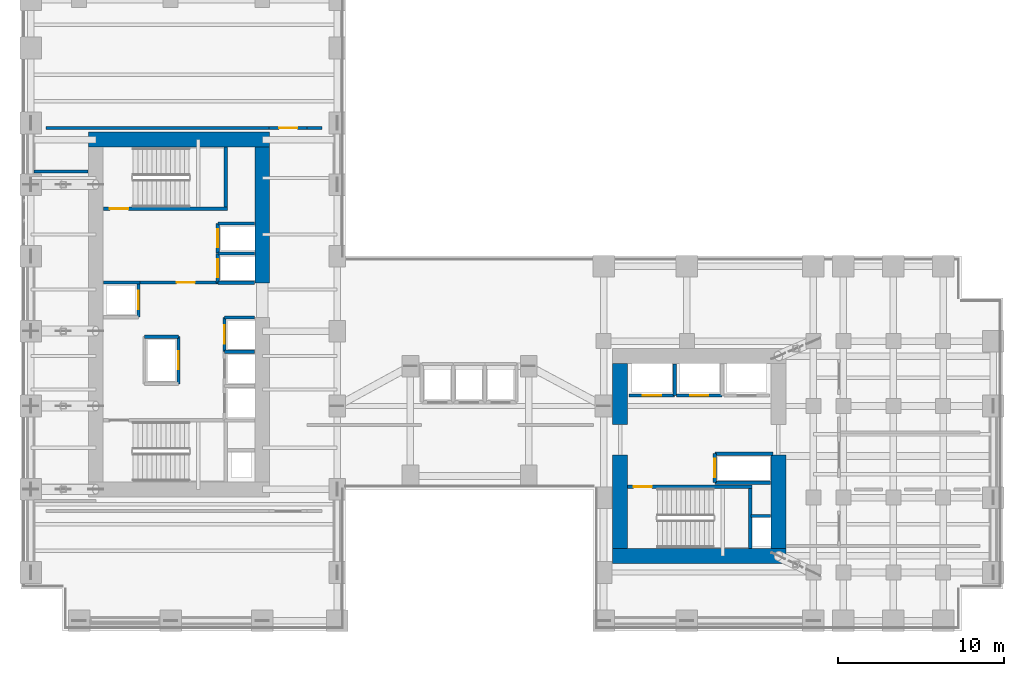
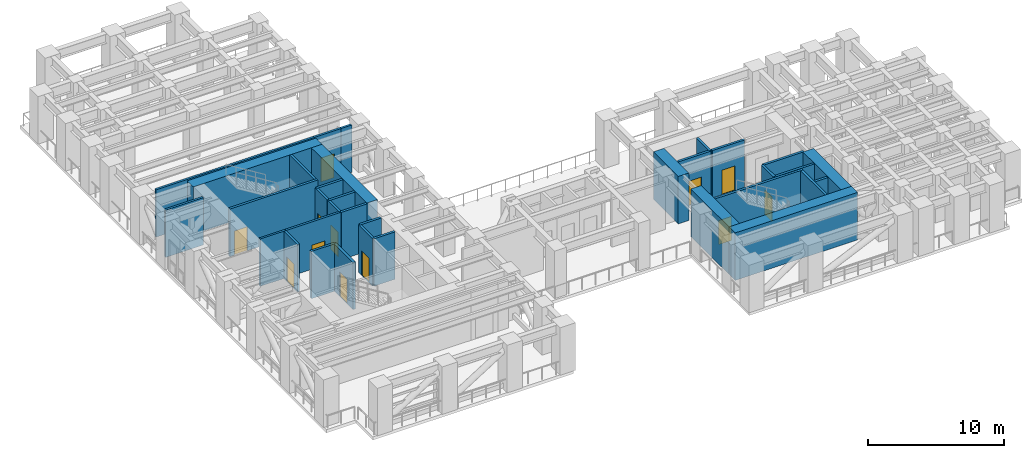
# One storey, part 10 of 16: 34 walls, 12 doors, 12 openings.
"""IFC4 building model written with IfcOpenShell, lengths in metres."""

from ifc_helpers import new_model, si_unit, direction, frame, frame_2d, origin, place, context, subcontext, project, spatial, rectangle, extrude, source, transform, mapped, material, layer, layer_set, type_object, element, fill, save


model = new_model("IFC4")

# Units and contexts
model_context = context("Model", 3, precision=1e-05, world=origin(), true_north=direction((0.0, 1.0)))
body_context = subcontext(model_context, "Body", "Model", "MODEL_VIEW")
ifc_project = project(units=[si_unit("LENGTHUNIT", "METRE"), si_unit("AREAUNIT", "SQUARE_METRE"), si_unit("VOLUMEUNIT", "CUBIC_METRE"), si_unit("PLANEANGLEUNIT", "RADIAN"), si_unit("MASSUNIT", "GRAM", prefix="KILO")], contexts=[model_context])

# Site, building, storey
site_placement = place(None, origin())
site = spatial("IfcSite", under=ifc_project, at=site_placement, CompositionType="ELEMENT")
building_placement = place(site_placement, origin())
building = spatial("IfcBuilding", under=site, at=building_placement, Name="Kharzan Plaza Tower", CompositionType="ELEMENT")
storey_placement = place(building_placement, frame((0.0, 0.0, 72.89990234375)))
storey = spatial("IfcBuildingStorey", under=building, at=storey_placement, Name="L19", CompositionType="ELEMENT", Elevation=72.89990234375)

# Wall, opening, door
ifc_material_1 = material(Name="Concrete C40/50", Category="concrete")
ifc_layer_1 = layer(ifc_material_1, 0.179931640625)
ifc_layer_set_1 = layer_set([ifc_layer_1], Name="Concrete C40/50")
wall_type_1 = type_object("IfcWallType", Name="WL-INT-FIRE-180", PredefinedType="PARTITIONING", material=ifc_layer_set_1)
wall_1_placement = place(storey_placement, frame((7.14990234375, 20.919921875, 0.0), z_axis=(0.0, 0.0, 1.0), x_axis=(1.0, 0.0, 0.0)))
wall_1 = element("IfcWall", 1, at=wall_1_placement, inside=storey, type_object=wall_type_1, Name="L19 Interior Partition CA-FF-S", PredefinedType="PARTITIONING", context=body_context, shape_type="SweptSolid", body=[
    extrude(rectangle(XDim=4.68017578125, YDim=0.179931640625, at=frame_2d((2.340087890625, 0.0))), origin(), (0.0, 0.0, 1.0), 4.2451171875),
])
opening_1_placement = place(wall_1_placement, frame((2.199951171875, 0.0, 0.0)))
opening_1 = element("IfcOpeningElement", 2, at=opening_1_placement, cuts=wall_1, Name="Opening FD1", PredefinedType="OPENING", context=body_context, shape_type="SweptSolid", body=[
    extrude(rectangle(XDim=1.10009765625, YDim=2.14990234375, at=frame_2d((0.550048828125, 1.074951171875))), frame((0.0, 0.099853515625, 0.0), z_axis=(0.0, -1.0, 0.0), x_axis=(1.0, 0.0, 0.0)), (0.0, 0.0, 1.0), 0.199951171875),
])
ifc_material_2 = material(Name="Fire-Rated Acoustic Vision-Panel Steel", Category="steel")
door_type_1 = type_object("IfcDoorType", Name="DR-FIRE-LOBBY", OperationType="NOTDEFINED", PredefinedType="DOOR", material=ifc_material_2)
shared_shape_1 = source(origin(), body_context, "Body", "SweptSolid", [
    extrude(rectangle(XDim=1.10009765625, YDim=2.14990234375, at=frame_2d((0.550048828125, 1.074951171875))), frame((0.0, 0.02490234375, 0.0), z_axis=(0.0, -1.0, 0.0), x_axis=(1.0, 0.0, 0.0)), (0.0, 0.0, 1.0), 0.050048828125),
])
door_1_placement = place(opening_1_placement, origin())
door_1 = element("IfcDoor", 3, at=door_1_placement, inside=storey, type_object=door_type_1, Name="L19 Firefighting Lobby Door", OperationType="SINGLE_SWING_LEFT", OverallHeight=2.14990234375, OverallWidth=1.10009765625, PredefinedType="DOOR", context=body_context, shape_type="MappedRepresentation", body=[
    mapped(shared_shape_1, transform((0.0, 0.0, 0.0), x_axis=(1.0, 0.0, 0.0), y_axis=(0.0, 1.0, 0.0), z_axis=(0.0, 0.0, 1.0))),
])
fill(opening_1, door_1)

wall_2_placement = place(storey_placement, frame((14.919921875, 30.199951171875, 0.0), z_axis=(0.0, 0.0, 1.0), x_axis=(1.0, 0.0, 0.0)))
wall_2 = element("IfcWall", 4, at=wall_2_placement, inside=storey, type_object=wall_type_1, Name="L19 Interior Partition MR-REFD", PredefinedType="PARTITIONING", context=body_context, shape_type="SweptSolid", body=[
    extrude(rectangle(XDim=2.280029296875, YDim=0.179931640625, at=frame_2d((1.14013671875, 0.0))), origin(), (0.0, 0.0, 1.0), 4.2451171875),
])
opening_2_placement = place(wall_2_placement, frame((0.590087890625, 0.0, 0.0)))
opening_2 = element("IfcOpeningElement", 5, at=opening_2_placement, cuts=wall_2, Name="Opening FD1", PredefinedType="OPENING", context=body_context, shape_type="SweptSolid", body=[
    extrude(rectangle(XDim=1.10009765625, YDim=2.14990234375, at=frame_2d((0.550048828125, 1.074951171875))), frame((0.0, 0.099853515625, 0.0), z_axis=(0.0, -1.0, 0.0), x_axis=(1.0, 0.0, 0.0)), (0.0, 0.0, 1.0), 0.199951171875),
])
door_2_placement = place(opening_2_placement, origin())
door_2 = element("IfcDoor", 6, at=door_2_placement, inside=storey, type_object=door_type_1, Name="L19 Area of Refuge Protected Door", OperationType="SINGLE_SWING_LEFT", OverallHeight=2.14990234375, OverallWidth=1.10009765625, PredefinedType="DOOR", context=body_context, shape_type="MappedRepresentation", body=[
    mapped(shared_shape_1, transform((0.0, 0.0, 0.0), x_axis=(1.0, 0.0, 0.0), y_axis=(0.0, 1.0, 0.0), z_axis=(0.0, 0.0, 1.0))),
])
fill(opening_2, door_2)

ifc_layer_2 = layer(ifc_material_1, 0.199951171875)
ifc_layer_set_2 = layer_set([ifc_layer_2], Name="Concrete C40/50")
wall_type_2 = type_object("IfcWallType", Name="WL-INT-SHAFT-200", PredefinedType="PARTITIONING", material=ifc_layer_set_2)
wall_3_placement = place(storey_placement, frame((11.830078125, 20.89990234375, 0.0), z_axis=(0.0, 0.0, 1.0), x_axis=(0.0, 1.0, 0.0)))
wall_3 = element("IfcWall", 7, at=wall_3_placement, inside=storey, type_object=wall_type_2, Name="L19 Interior Partition SHF-FFL-1-W", PredefinedType="PARTITIONING", context=body_context, shape_type="SweptSolid", body=[
    extrude(rectangle(XDim=1.760009765625, YDim=0.199951171875, at=frame_2d((0.8798828125, 0.0))), origin(), (0.0, 0.0, 1.0), 4.2451171875),
])
opening_3_placement = place(wall_3_placement, frame((0.330078125, 0.0, 0.0)))
opening_3 = element("IfcOpeningElement", 8, at=opening_3_placement, cuts=wall_3, Name="Opening LD", PredefinedType="OPENING", context=body_context, shape_type="SweptSolid", body=[
    extrude(rectangle(XDim=1.10009765625, YDim=2.199951171875, at=frame_2d((0.550048828125, 1.10009765625))), frame((0.0, 0.10986328125, 0.0), z_axis=(0.0, -1.0, 0.0), x_axis=(1.0, 0.0, 0.0)), (0.0, 0.0, 1.0), 0.219970703125),
])
ifc_material_3 = material(Name="Brushed Stainless Steel", Category="steel")
door_type_2 = type_object("IfcDoorType", Name="DR-LIFT-SLIDE", OperationType="SLIDING_TO_LEFT", PredefinedType="DOOR", material=ifc_material_3)
shared_shape_2 = source(origin(), body_context, "Body", "SweptSolid", [
    extrude(rectangle(XDim=1.10009765625, YDim=2.199951171875, at=frame_2d((0.550048828125, 1.10009765625))), frame((0.0, 0.02490234375, 0.0), z_axis=(0.0, -1.0, 0.0), x_axis=(1.0, 0.0, 0.0)), (0.0, 0.0, 1.0), 0.050048828125),
])
door_3_placement = place(opening_3_placement, origin())
door_3 = element("IfcDoor", 9, at=door_3_placement, inside=storey, type_object=door_type_2, Name="L19 Firefighting Lift FFL-1 Sliding Landing Door", OperationType="SLIDING_TO_LEFT", OverallHeight=2.199951171875, OverallWidth=1.10009765625, PredefinedType="DOOR", context=body_context, shape_type="MappedRepresentation", body=[
    mapped(shared_shape_2, transform((0.0, 0.0, 0.0), x_axis=(1.0, 0.0, 0.0), y_axis=(0.0, 1.0, 0.0), z_axis=(0.0, 0.0, 1.0))),
])
fill(opening_3, door_3)

wall_4_placement = place(storey_placement, frame((11.830078125, 22.699951171875, 0.0), z_axis=(0.0, 0.0, 1.0), x_axis=(0.0, 1.0, 0.0)))
wall_4 = element("IfcWall", 10, at=wall_4_placement, inside=storey, type_object=wall_type_2, Name="L19 Interior Partition SHF-FFL-2-W", PredefinedType="PARTITIONING", context=body_context, shape_type="SweptSolid", body=[
    extrude(rectangle(XDim=1.760009765625, YDim=0.199951171875, at=frame_2d((0.8798828125, 0.0))), origin(), (0.0, 0.0, 1.0), 4.2451171875),
])
opening_4_placement = place(wall_4_placement, frame((0.330078125, 0.0, 0.0)))
opening_4 = element("IfcOpeningElement", 11, at=opening_4_placement, cuts=wall_4, Name="Opening LD", PredefinedType="OPENING", context=body_context, shape_type="SweptSolid", body=[
    extrude(rectangle(XDim=1.10009765625, YDim=2.199951171875, at=frame_2d((0.550048828125, 1.10009765625))), frame((0.0, 0.10986328125, 0.0), z_axis=(0.0, -1.0, 0.0), x_axis=(1.0, 0.0, 0.0)), (0.0, 0.0, 1.0), 0.219970703125),
])
door_4_placement = place(opening_4_placement, origin())
door_4 = element("IfcDoor", 12, at=door_4_placement, inside=storey, type_object=door_type_2, Name="L19 Firefighting Lift FFL-2 Sliding Landing Door", OperationType="SLIDING_TO_LEFT", OverallHeight=2.199951171875, OverallWidth=1.10009765625, PredefinedType="DOOR", context=body_context, shape_type="MappedRepresentation", body=[
    mapped(shared_shape_2, transform((0.0, 0.0, 0.0), x_axis=(1.0, 0.0, 0.0), y_axis=(0.0, 1.0, 0.0), z_axis=(0.0, 0.0, 1.0))),
])
fill(opening_4, door_4)

wall_5_placement = place(storey_placement, frame((12.22998046875, 16.77001953125, 0.0), z_axis=(0.0, 0.0, 1.0), x_axis=(0.0, 1.0, 0.0)))
wall_5 = element("IfcWall", 13, at=wall_5_placement, inside=storey, type_object=wall_type_2, Name="L19 Interior Partition SHF-PL-H3-W", PredefinedType="PARTITIONING", context=body_context, shape_type="SweptSolid", body=[
    extrude(rectangle(XDim=2.050048828125, YDim=0.199951171875, at=frame_2d((1.02490234375, 0.0))), origin(), (0.0, 0.0, 1.0), 4.2451171875),
])
opening_5_placement = place(wall_5_placement, frame((0.47509765625, 0.0, 0.0)))
opening_5 = element("IfcOpeningElement", 14, at=opening_5_placement, cuts=wall_5, Name="Opening LD", PredefinedType="OPENING", context=body_context, shape_type="SweptSolid", body=[
    extrude(rectangle(XDim=1.10009765625, YDim=2.199951171875, at=frame_2d((0.550048828125, 1.10009765625))), frame((0.0, 0.10986328125, 0.0), z_axis=(0.0, -1.0, 0.0), x_axis=(1.0, 0.0, 0.0)), (0.0, 0.0, 1.0), 0.219970703125),
])
door_5_placement = place(opening_5_placement, origin())
door_5 = element("IfcDoor", 15, at=door_5_placement, inside=storey, type_object=door_type_2, Name="L19 High-Rise Passenger Lift PL-H3 Sliding Landing Door", OperationType="SLIDING_TO_LEFT", OverallHeight=2.199951171875, OverallWidth=1.10009765625, PredefinedType="DOOR", context=body_context, shape_type="MappedRepresentation", body=[
    mapped(shared_shape_2, transform((0.0, 0.0, 0.0), x_axis=(1.0, 0.0, 0.0), y_axis=(0.0, 1.0, 0.0), z_axis=(0.0, 0.0, 1.0))),
])
fill(opening_5, door_5)

wall_6_placement = place(storey_placement, frame((7.070068359375, 18.840087890625, 0.0), z_axis=(0.0, 0.0, 1.0), x_axis=(0.0, 1.0, 0.0)))
wall_6 = element("IfcWall", 16, at=wall_6_placement, inside=storey, type_object=wall_type_2, Name="L19 Interior Partition SHF-PL-H4-E", PredefinedType="PARTITIONING", context=body_context, shape_type="SweptSolid", body=[
    extrude(rectangle(XDim=2.059814453125, YDim=0.199951171875, at=frame_2d((1.02978515625, 0.0))), origin(), (0.0, 0.0, 1.0), 4.2451171875),
])
opening_6_placement = place(wall_6_placement, frame((0.47998046875, 0.0, 0.0)))
opening_6 = element("IfcOpeningElement", 17, at=opening_6_placement, cuts=wall_6, Name="Opening LD", PredefinedType="OPENING", context=body_context, shape_type="SweptSolid", body=[
    extrude(rectangle(XDim=1.10009765625, YDim=2.199951171875, at=frame_2d((0.550048828125, 1.10009765625))), frame((0.0, 0.10986328125, 0.0), z_axis=(0.0, -1.0, 0.0), x_axis=(1.0, 0.0, 0.0)), (0.0, 0.0, 1.0), 0.219970703125),
])
door_6_placement = place(opening_6_placement, origin())
door_6 = element("IfcDoor", 18, at=door_6_placement, inside=storey, type_object=door_type_2, Name="L19 High-Rise Passenger Lift PL-H4 Sliding Landing Door", OperationType="SLIDING_TO_LEFT", OverallHeight=2.199951171875, OverallWidth=1.10009765625, PredefinedType="DOOR", context=body_context, shape_type="MappedRepresentation", body=[
    mapped(shared_shape_2, transform((0.0, 0.0, 0.0), x_axis=(1.0, 0.0, 0.0), y_axis=(0.0, 1.0, 0.0), z_axis=(0.0, 0.0, 1.0))),
])
fill(opening_6, door_6)

wall_7_placement = place(storey_placement, frame((36.530029296875, 14.1298828125, 0.0), z_axis=(0.0, 0.0, 1.0), x_axis=(1.0, 0.0, 0.0)))
wall_7 = element("IfcWall", 19, at=wall_7_placement, inside=storey, type_object=wall_type_2, Name="L19 Interior Partition SHF-PL-L1-S", PredefinedType="PARTITIONING", context=body_context, shape_type="SweptSolid", body=[
    extrude(rectangle(XDim=2.739990234375, YDim=0.199951171875, at=frame_2d((1.3701171875, 0.0))), origin(), (0.0, 0.0, 1.0), 4.2451171875),
])
opening_7_placement = place(wall_7_placement, frame((0.820068359375, 0.0, 0.0)))
opening_7 = element("IfcOpeningElement", 20, at=opening_7_placement, cuts=wall_7, Name="Opening LD", PredefinedType="OPENING", context=body_context, shape_type="SweptSolid", body=[
    extrude(rectangle(XDim=1.10009765625, YDim=2.199951171875, at=frame_2d((0.550048828125, 1.10009765625))), frame((0.0, 0.10986328125, 0.0), z_axis=(0.0, -1.0, 0.0), x_axis=(1.0, 0.0, 0.0)), (0.0, 0.0, 1.0), 0.219970703125),
])
door_7_placement = place(opening_7_placement, origin())
door_7 = element("IfcDoor", 21, at=door_7_placement, inside=storey, type_object=door_type_2, Name="L19 Low-Rise Passenger Lift PL-L1 Sliding Landing Door", OperationType="SLIDING_TO_LEFT", OverallHeight=2.199951171875, OverallWidth=1.10009765625, PredefinedType="DOOR", context=body_context, shape_type="MappedRepresentation", body=[
    mapped(shared_shape_2, transform((0.0, 0.0, 0.0), x_axis=(1.0, 0.0, 0.0), y_axis=(0.0, 1.0, 0.0), z_axis=(0.0, 0.0, 1.0))),
])
fill(opening_7, door_7)

wall_8_placement = place(storey_placement, frame((39.3798828125, 14.1298828125, 0.0), z_axis=(0.0, 0.0, 1.0), x_axis=(1.0, 0.0, 0.0)))
wall_8 = element("IfcWall", 22, at=wall_8_placement, inside=storey, type_object=wall_type_2, Name="L19 Interior Partition SHF-PL-L2-S", PredefinedType="PARTITIONING", context=body_context, shape_type="SweptSolid", body=[
    extrude(rectangle(XDim=2.740234375, YDim=0.199951171875, at=frame_2d((1.3701171875, 0.0))), origin(), (0.0, 0.0, 1.0), 4.2451171875),
])
opening_8_placement = place(wall_8_placement, frame((0.820068359375, 0.0, 0.0)))
opening_8 = element("IfcOpeningElement", 23, at=opening_8_placement, cuts=wall_8, Name="Opening LD", PredefinedType="OPENING", context=body_context, shape_type="SweptSolid", body=[
    extrude(rectangle(XDim=1.10009765625, YDim=2.199951171875, at=frame_2d((0.550048828125, 1.10009765625))), frame((0.0, 0.10986328125, 0.0), z_axis=(0.0, -1.0, 0.0), x_axis=(1.0, 0.0, 0.0)), (0.0, 0.0, 1.0), 0.219970703125),
])
door_8_placement = place(opening_8_placement, origin())
door_8 = element("IfcDoor", 24, at=door_8_placement, inside=storey, type_object=door_type_2, Name="L19 Low-Rise Passenger Lift PL-L2 Sliding Landing Door", OperationType="SLIDING_TO_LEFT", OverallHeight=2.199951171875, OverallWidth=1.10009765625, PredefinedType="DOOR", context=body_context, shape_type="MappedRepresentation", body=[
    mapped(shared_shape_2, transform((0.0, 0.0, 0.0), x_axis=(1.0, 0.0, 0.0), y_axis=(0.0, 1.0, 0.0), z_axis=(0.0, 0.0, 1.0))),
])
fill(opening_8, door_8)

wall_9_placement = place(storey_placement, frame((9.469970703125, 14.830078125, 0.0), z_axis=(0.0, 0.0, 1.0), x_axis=(0.0, 1.0, 0.0)))
wall_9 = element("IfcWall", 25, at=wall_9_placement, inside=storey, type_object=wall_type_2, Name="L19 Interior Partition SHF-SVL-1-E", PredefinedType="PARTITIONING", context=body_context, shape_type="SweptSolid", body=[
    extrude(rectangle(XDim=2.83984375, YDim=0.199951171875, at=frame_2d((1.419921875, 0.0))), origin(), (0.0, 0.0, 1.0), 4.2451171875),
])
opening_9_placement = place(wall_9_placement, frame((0.8701171875, 0.0, 0.0)))
opening_9 = element("IfcOpeningElement", 26, at=opening_9_placement, cuts=wall_9, Name="Opening LD", PredefinedType="OPENING", context=body_context, shape_type="SweptSolid", body=[
    extrude(rectangle(XDim=1.10009765625, YDim=2.199951171875, at=frame_2d((0.550048828125, 1.10009765625))), frame((0.0, 0.10986328125, 0.0), z_axis=(0.0, -1.0, 0.0), x_axis=(1.0, 0.0, 0.0)), (0.0, 0.0, 1.0), 0.219970703125),
])
door_9_placement = place(opening_9_placement, origin())
door_9 = element("IfcDoor", 27, at=door_9_placement, inside=storey, type_object=door_type_2, Name="L19 Service Lift SVL-1 Sliding Landing Door", OperationType="SLIDING_TO_LEFT", OverallHeight=2.199951171875, OverallWidth=1.10009765625, PredefinedType="DOOR", context=body_context, shape_type="MappedRepresentation", body=[
    mapped(shared_shape_2, transform((0.0, 0.0, 0.0), x_axis=(1.0, 0.0, 0.0), y_axis=(0.0, 1.0, 0.0), z_axis=(0.0, 0.0, 1.0))),
])
fill(opening_9, door_9)

wall_10_placement = place(storey_placement, frame((41.679931640625, 8.89990234375, 0.0), z_axis=(0.0, 0.0, 1.0), x_axis=(0.0, 1.0, 0.0)))
wall_10 = element("IfcWall", 28, at=wall_10_placement, inside=storey, type_object=wall_type_2, Name="L19 Interior Partition SHF-SVL-2-W", PredefinedType="PARTITIONING", context=body_context, shape_type="SweptSolid", body=[
    extrude(rectangle(XDim=1.739990234375, YDim=0.199951171875, at=frame_2d((0.8701171875, 0.0))), origin(), (0.0, 0.0, 1.0), 4.2451171875),
])
opening_10_placement = place(wall_10_placement, frame((0.320068359375, 0.0, 0.0)))
opening_10 = element("IfcOpeningElement", 29, at=opening_10_placement, cuts=wall_10, Name="Opening LD", PredefinedType="OPENING", context=body_context, shape_type="SweptSolid", body=[
    extrude(rectangle(XDim=1.10009765625, YDim=2.199951171875, at=frame_2d((0.550048828125, 1.10009765625))), frame((0.0, 0.10986328125, 0.0), z_axis=(0.0, -1.0, 0.0), x_axis=(1.0, 0.0, 0.0)), (0.0, 0.0, 1.0), 0.219970703125),
])
door_10_placement = place(opening_10_placement, origin())
door_10 = element("IfcDoor", 30, at=door_10_placement, inside=storey, type_object=door_type_2, Name="L19 Service Lift SVL-2 Sliding Landing Door", OperationType="SLIDING_TO_LEFT", OverallHeight=2.199951171875, OverallWidth=1.10009765625, PredefinedType="DOOR", context=body_context, shape_type="MappedRepresentation", body=[
    mapped(shared_shape_2, transform((0.0, 0.0, 0.0), x_axis=(1.0, 0.0, 0.0), y_axis=(0.0, 1.0, 0.0), z_axis=(0.0, 0.0, 1.0))),
])
fill(opening_10, door_10)

ifc_material_4 = material(Name="Concrete C50/60", Category="concrete")
ifc_layer_3 = layer(ifc_material_4, 0.199951171875)
ifc_layer_set_3 = layer_set([ifc_layer_3], Name="Concrete C50/60")
wall_type_3 = type_object("IfcWallType", Name="WL-SHAFT-RC200", PredefinedType="SHEAR", material=ifc_layer_set_3)
wall_11_placement = place(storey_placement, frame((4.951904296875, 25.344970703125, 0.0), z_axis=(0.0, 0.0, 1.0), x_axis=(1.0, 0.0, 0.0)))
wall_11 = element("IfcWall", 31, at=wall_11_placement, inside=storey, type_object=wall_type_3, Name="L19 Stair ST-2 South RC Shaft Wall", PredefinedType="SHEAR", context=body_context, shape_type="SweptSolid", body=[
    extrude(rectangle(XDim=7.453125, YDim=0.199951171875, at=frame_2d((3.7265625, 0.0))), origin(), (0.0, 0.0, 1.0), 4.260009765625),
])
opening_11_placement = place(wall_11_placement, frame((0.39990234375, 0.0, 0.0)))
opening_11 = element("IfcOpeningElement", 32, at=opening_11_placement, cuts=wall_11, Name="Opening SD1", PredefinedType="OPENING", context=body_context, shape_type="SweptSolid", body=[
    extrude(rectangle(XDim=1.10009765625, YDim=2.14990234375, at=frame_2d((0.550048828125, 1.074951171875))), frame((0.0, 0.10986328125, 0.0), z_axis=(0.0, -1.0, 0.0), x_axis=(1.0, 0.0, 0.0)), (0.0, 0.0, 1.0), 0.219970703125),
])
ifc_material_5 = material(Name="Fire-Rated Hollow Galvanized Steel", Category="steel")
door_type_3 = type_object("IfcDoorType", Name="DR-STAIR-FD120", OperationType="NOTDEFINED", PredefinedType="DOOR", material=ifc_material_5)
shared_shape_3 = source(origin(), body_context, "Body", "SweptSolid", [
    extrude(rectangle(XDim=1.10009765625, YDim=2.14990234375, at=frame_2d((0.550048828125, 1.074951171875))), frame((0.0, 0.02490234375, 0.0), z_axis=(0.0, -1.0, 0.0), x_axis=(1.0, 0.0, 0.0)), (0.0, 0.0, 1.0), 0.050048828125),
])
door_11_placement = place(opening_11_placement, origin())
door_11 = element("IfcDoor", 33, at=door_11_placement, inside=storey, type_object=door_type_3, Name="L19 Stair ST-2 Fire Exit Door", OperationType="SINGLE_SWING_RIGHT", OverallHeight=2.14990234375, OverallWidth=1.10009765625, PredefinedType="DOOR", context=body_context, shape_type="MappedRepresentation", body=[
    mapped(shared_shape_3, transform((0.0, 0.0, 0.0), x_axis=(1.0, 0.0, 0.0), y_axis=(0.0, 1.0, 0.0), z_axis=(0.0, 0.0, 1.0))),
])
fill(opening_11, door_11)

wall_12_placement = place(storey_placement, frame((36.451904296875, 8.655029296875, 0.0), z_axis=(0.0, 0.0, 1.0), x_axis=(1.0, 0.0, 0.0)))
wall_12 = element("IfcWall", 34, at=wall_12_placement, inside=storey, type_object=wall_type_3, Name="L19 Stair ST-3 North RC Shaft Wall", PredefinedType="SHEAR", context=body_context, shape_type="SweptSolid", body=[
    extrude(rectangle(XDim=7.453125, YDim=0.199951171875, at=frame_2d((3.7265625, 0.0))), origin(), (0.0, 0.0, 1.0), 4.260009765625),
])
opening_12_placement = place(wall_12_placement, frame((0.35009765625, 0.0, 0.0)))
opening_12 = element("IfcOpeningElement", 35, at=opening_12_placement, cuts=wall_12, Name="Opening SD1", PredefinedType="OPENING", context=body_context, shape_type="SweptSolid", body=[
    extrude(rectangle(XDim=1.10009765625, YDim=2.14990234375, at=frame_2d((0.550048828125, 1.074951171875))), frame((0.0, 0.10986328125, 0.0), z_axis=(0.0, -1.0, 0.0), x_axis=(1.0, 0.0, 0.0)), (0.0, 0.0, 1.0), 0.219970703125),
])
door_12_placement = place(opening_12_placement, origin())
door_12 = element("IfcDoor", 36, at=door_12_placement, inside=storey, type_object=door_type_3, Name="L19 Stair ST-3 Fire Exit Door", OperationType="SINGLE_SWING_RIGHT", OverallHeight=2.14990234375, OverallWidth=1.10009765625, PredefinedType="DOOR", context=body_context, shape_type="MappedRepresentation", body=[
    mapped(shared_shape_3, transform((0.0, 0.0, 0.0), x_axis=(1.0, 0.0, 0.0), y_axis=(0.0, 1.0, 0.0), z_axis=(0.0, 0.0, 1.0))),
])
fill(opening_12, door_12)

# Walls
ifc_material_6 = material(Name="Concrete C60/75", Category="concrete")
ifc_layer_4 = layer(ifc_material_6, 0.89990234375)
ifc_layer_set_4 = layer_set([ifc_layer_4], Name="Concrete C60/75")
wall_type_4 = type_object("IfcWallType", Name="WL-CORE-900", PredefinedType="SHEAR", material=ifc_layer_set_4)
shared_shape_4 = source(origin(), body_context, "Body", "SweptSolid", [
    extrude(rectangle(XDim=8.170166015625, YDim=0.89990234375, at=frame_2d((4.0849609375, 0.0))), origin(), (0.0, 0.0, 1.0), 4.260009765625),
])
wall_13_placement = place(storey_placement, frame((14.5, 20.8798828125, 0.0), z_axis=(0.0, 0.0, 1.0), x_axis=(0.0, 1.0, 0.0)))
element("IfcWall", 37, at=wall_13_placement, inside=storey, type_object=wall_type_4, Name="L19 CORE-A east shear pier 2", PredefinedType="SHEAR", context=body_context, shape_type="MappedRepresentation", body=[
    mapped(shared_shape_4, transform((0.0, 0.0, 0.0), x_axis=(1.0, 0.0, 0.0), y_axis=(0.0, 1.0, 0.0), z_axis=(0.0, 0.0, 1.0))),
])
shared_shape_5 = source(origin(), body_context, "Body", "SweptSolid", [
    extrude(rectangle(XDim=10.89990234375, YDim=0.89990234375, at=frame_2d((5.449951171875, 0.0))), origin(), (0.0, 0.0, 1.0), 4.260009765625),
])
wall_14_placement = place(storey_placement, frame((4.050048828125, 29.5, 0.0), z_axis=(0.0, 0.0, 1.0), x_axis=(1.0, 0.0, 0.0)))
element("IfcWall", 38, at=wall_14_placement, inside=storey, type_object=wall_type_4, Name="L19 CORE-A north RC shear wall", PredefinedType="SHEAR", context=body_context, shape_type="MappedRepresentation", body=[
    mapped(shared_shape_5, transform((0.0, 0.0, 0.0), x_axis=(1.0, 0.0, 0.0), y_axis=(0.0, 1.0, 0.0), z_axis=(0.0, 0.0, 1.0))),
])
shared_shape_6 = source(origin(), body_context, "Body", "SweptSolid", [
    extrude(rectangle(XDim=5.60009765625, YDim=0.89990234375, at=frame_2d((2.800048828125, 0.0))), origin(), (0.0, 0.0, 1.0), 4.260009765625),
])
for number, where, z_axis, x_axis, name in (
    (39, (45.5, 4.949951171875, 0.0), (0.0, 0.0, 1.0), (0.0, 1.0, 0.0), "L19 CORE-B east shear pier 1"),
    (40, (36.0, 4.949951171875, 0.0), (0.0, 0.0, 1.0), (0.0, 1.0, 0.0), "L19 CORE-B west shear pier 1"),
):
    element("IfcWall", number, at=place(storey_placement, frame(where, z_axis=z_axis, x_axis=x_axis)), inside=storey, type_object=wall_type_4, Name=name, PredefinedType="SHEAR", context=body_context, shape_type="MappedRepresentation", body=[
        mapped(shared_shape_6, transform((0.0, 0.0, 0.0), x_axis=(1.0, 0.0, 0.0), y_axis=(0.0, 1.0, 0.0), z_axis=(0.0, 0.0, 1.0))),
    ])
shared_shape_7 = source(origin(), body_context, "Body", "SweptSolid", [
    extrude(rectangle(XDim=3.650146484375, YDim=0.89990234375, at=frame_2d((1.8251953125, 0.0))), origin(), (0.0, 0.0, 1.0), 4.260009765625),
])
wall_15_placement = place(storey_placement, frame((36.0, 12.39990234375, 0.0), z_axis=(0.0, 0.0, 1.0), x_axis=(0.0, 1.0, 0.0)))
element("IfcWall", 41, at=wall_15_placement, inside=storey, type_object=wall_type_4, Name="L19 CORE-B west shear pier 2", PredefinedType="SHEAR", context=body_context, shape_type="MappedRepresentation", body=[
    mapped(shared_shape_7, transform((0.0, 0.0, 0.0), x_axis=(1.0, 0.0, 0.0), y_axis=(0.0, 1.0, 0.0), z_axis=(0.0, 0.0, 1.0))),
])
shared_shape_8 = source(origin(), body_context, "Body", "SweptSolid", [
    extrude(rectangle(XDim=10.39990234375, YDim=0.89990234375, at=frame_2d((5.199951171875, 0.0))), origin(), (0.0, 0.0, 1.0), 4.260009765625),
])
wall_16_placement = place(storey_placement, frame((35.550048828125, 4.5, 0.0), z_axis=(0.0, 0.0, 1.0), x_axis=(1.0, 0.0, 0.0)))
element("IfcWall", 42, at=wall_16_placement, inside=storey, type_object=wall_type_4, Name="L19 CORE-B south RC shear wall", PredefinedType="SHEAR", context=body_context, shape_type="MappedRepresentation", body=[
    mapped(shared_shape_8, transform((0.0, 0.0, 0.0), x_axis=(1.0, 0.0, 0.0), y_axis=(0.0, 1.0, 0.0), z_axis=(0.0, 0.0, 1.0))),
])
shared_shape_9 = source(origin(), body_context, "Body", "SweptSolid", [
    extrude(rectangle(XDim=2.169921875, YDim=0.179931640625, at=frame_2d((1.0849609375, 0.0))), origin(), (0.0, 0.0, 1.0), 4.2451171875),
])
wall_17_placement = place(storey_placement, frame((4.97998046875, 20.919921875, 0.0), z_axis=(0.0, 0.0, 1.0), x_axis=(1.0, 0.0, 0.0)))
element("IfcWall", 43, at=wall_17_placement, inside=storey, type_object=wall_type_1, Name="L19 Interior Partition CA-FF-SW", PredefinedType="PARTITIONING", context=body_context, shape_type="MappedRepresentation", body=[
    mapped(shared_shape_9, transform((0.0, 0.0, 0.0), x_axis=(1.0, 0.0, 0.0), y_axis=(0.0, 1.0, 0.0), z_axis=(0.0, 0.0, 1.0))),
])
shared_shape_10 = source(origin(), body_context, "Body", "SweptSolid", [
    extrude(rectangle(XDim=13.419921875, YDim=0.179931640625, at=frame_2d((6.7099609375, 0.0))), origin(), (0.0, 0.0, 1.0), 4.2451171875),
])
wall_18_placement = place(storey_placement, frame((1.5, 30.199951171875, 0.0), z_axis=(0.0, 0.0, 1.0), x_axis=(1.0, 0.0, 0.0)))
element("IfcWall", 44, at=wall_18_placement, inside=storey, type_object=wall_type_1, Name="L19 Interior Partition MR-REFW", PredefinedType="PARTITIONING", context=body_context, shape_type="MappedRepresentation", body=[
    mapped(shared_shape_10, transform((0.0, 0.0, 0.0), x_axis=(1.0, 0.0, 0.0), y_axis=(0.0, 1.0, 0.0), z_axis=(0.0, 0.0, 1.0))),
])
shared_shape_11 = source(origin(), body_context, "Body", "SweptSolid", [
    extrude(rectangle(XDim=0.900146484375, YDim=0.179931640625, at=frame_2d((0.4501953125, 0.0))), origin(), (0.0, 0.0, 1.0), 4.2451171875),
])
wall_19_placement = place(storey_placement, frame((17.199951171875, 30.199951171875, 0.0), z_axis=(0.0, 0.0, 1.0), x_axis=(1.0, 0.0, 0.0)))
element("IfcWall", 45, at=wall_19_placement, inside=storey, type_object=wall_type_1, Name="L19 Interior Partition MR-REFWE", PredefinedType="PARTITIONING", context=body_context, shape_type="MappedRepresentation", body=[
    mapped(shared_shape_11, transform((0.0, 0.0, 0.0), x_axis=(1.0, 0.0, 0.0), y_axis=(0.0, 1.0, 0.0), z_axis=(0.0, 0.0, 1.0))),
])
shared_shape_12 = source(origin(), body_context, "Body", "SweptSolid", [
    extrude(rectangle(XDim=3.219970703125, YDim=0.179931640625, at=frame_2d((1.60986328125, 0.0))), origin(), (0.0, 0.0, 1.0), 4.2451171875),
])
wall_20_placement = place(storey_placement, frame((0.800048828125, 27.60009765625, 0.0), z_axis=(0.0, 0.0, 1.0), x_axis=(1.0, 0.0, 0.0)))
element("IfcWall", 46, at=wall_20_placement, inside=storey, type_object=wall_type_1, Name="L19 Interior Partition MR-OTWN", PredefinedType="PARTITIONING", context=body_context, shape_type="MappedRepresentation", body=[
    mapped(shared_shape_12, transform((0.0, 0.0, 0.0), x_axis=(1.0, 0.0, 0.0), y_axis=(0.0, 1.0, 0.0), z_axis=(0.0, 0.0, 1.0))),
])
shared_shape_13 = source(origin(), body_context, "Body", "SweptSolid", [
    extrude(rectangle(XDim=1.169921875, YDim=0.199951171875, at=frame_2d((0.5849609375, 0.0))), origin(), (0.0, 0.0, 1.0), 4.2451171875),
])
wall_21_placement = place(storey_placement, frame((43.85009765625, 6.89990234375, 0.0), z_axis=(0.0, 0.0, 1.0), x_axis=(1.0, 0.0, 0.0)))
element("IfcWall", 47, at=wall_21_placement, inside=storey, type_object=wall_type_2, Name="L19 Interior Partition CB-RSRB-N", PredefinedType="PARTITIONING", context=body_context, shape_type="MappedRepresentation", body=[
    mapped(shared_shape_13, transform((0.0, 0.0, 0.0), x_axis=(1.0, 0.0, 0.0), y_axis=(0.0, 1.0, 0.0), z_axis=(0.0, 0.0, 1.0))),
])
shared_shape_14 = source(origin(), body_context, "Body", "SweptSolid", [
    extrude(rectangle(XDim=2.18994140625, YDim=0.199951171875, at=frame_2d((1.094970703125, 0.0))), origin(), (0.0, 0.0, 1.0), 4.2451171875),
])
for number, where, z_axis, x_axis, name in (
    (48, (11.830078125, 22.659912109375, 0.0), (0.0, 0.0, 1.0), (1.0, 0.0, 0.0), "L19 Interior Partition SHF-FFL-1-N"),
    (49, (11.830078125, 20.89990234375, 0.0), (0.0, 0.0, 1.0), (1.0, 0.0, 0.0), "L19 Interior Partition SHF-FFL-1-S"),
    (50, (11.830078125, 24.4599609375, 0.0), (0.0, 0.0, 1.0), (1.0, 0.0, 0.0), "L19 Interior Partition SHF-FFL-2-N"),
):
    element("IfcWall", number, at=place(storey_placement, frame(where, z_axis=z_axis, x_axis=x_axis)), inside=storey, type_object=wall_type_2, Name=name, PredefinedType="PARTITIONING", context=body_context, shape_type="MappedRepresentation", body=[
        mapped(shared_shape_14, transform((0.0, 0.0, 0.0), x_axis=(1.0, 0.0, 0.0), y_axis=(0.0, 1.0, 0.0), z_axis=(0.0, 0.0, 1.0))),
    ])
shared_shape_15 = source(origin(), body_context, "Body", "SweptSolid", [
    extrude(rectangle(XDim=1.7900390625, YDim=0.199951171875, at=frame_2d((0.89501953125, 0.0))), origin(), (0.0, 0.0, 1.0), 4.2451171875),
])
for number, where, z_axis, x_axis, name in (
    (51, (12.22998046875, 16.77001953125, 0.0), (0.0, 0.0, 1.0), (1.0, 0.0, 0.0), "L19 Interior Partition SHF-PL-H2-N"),
    (52, (12.22998046875, 18.820068359375, 0.0), (0.0, 0.0, 1.0), (1.0, 0.0, 0.0), "L19 Interior Partition SHF-PL-H3-N"),
):
    element("IfcWall", number, at=place(storey_placement, frame(where, z_axis=z_axis, x_axis=x_axis)), inside=storey, type_object=wall_type_2, Name=name, PredefinedType="PARTITIONING", context=body_context, shape_type="MappedRepresentation", body=[
        mapped(shared_shape_15, transform((0.0, 0.0, 0.0), x_axis=(1.0, 0.0, 0.0), y_axis=(0.0, 1.0, 0.0), z_axis=(0.0, 0.0, 1.0))),
    ])
shared_shape_16 = source(origin(), body_context, "Body", "SweptSolid", [
    extrude(rectangle(XDim=1.89013671875, YDim=0.199951171875, at=frame_2d((0.945068359375, 0.0))), origin(), (0.0, 0.0, 1.0), 4.2451171875),
])
wall_22_placement = place(storey_placement, frame((39.27001953125, 14.1298828125, 0.0), z_axis=(0.0, 0.0, 1.0), x_axis=(0.0, 1.0, 0.0)))
element("IfcWall", 53, at=wall_22_placement, inside=storey, type_object=wall_type_2, Name="L19 Interior Partition SHF-PL-L1-E", PredefinedType="PARTITIONING", context=body_context, shape_type="MappedRepresentation", body=[
    mapped(shared_shape_16, transform((0.0, 0.0, 0.0), x_axis=(1.0, 0.0, 0.0), y_axis=(0.0, 1.0, 0.0), z_axis=(0.0, 0.0, 1.0))),
])
shared_shape_17 = source(origin(), body_context, "Body", "SweptSolid", [
    extrude(rectangle(XDim=2.0400390625, YDim=0.199951171875, at=frame_2d((1.02001953125, 0.0))), origin(), (0.0, 0.0, 1.0), 4.2451171875),
])
wall_23_placement = place(storey_placement, frame((7.429931640625, 17.669921875, 0.0), z_axis=(0.0, 0.0, 1.0), x_axis=(1.0, 0.0, 0.0)))
element("IfcWall", 54, at=wall_23_placement, inside=storey, type_object=wall_type_2, Name="L19 Interior Partition SHF-SVL-1-N", PredefinedType="PARTITIONING", context=body_context, shape_type="MappedRepresentation", body=[
    mapped(shared_shape_17, transform((0.0, 0.0, 0.0), x_axis=(1.0, 0.0, 0.0), y_axis=(0.0, 1.0, 0.0), z_axis=(0.0, 0.0, 1.0))),
])
shared_shape_18 = source(origin(), body_context, "Body", "SweptSolid", [
    extrude(rectangle(XDim=3.489990234375, YDim=0.199951171875, at=frame_2d((1.7451171875, 0.0))), origin(), (0.0, 0.0, 1.0), 4.2451171875),
])
wall_24_placement = place(storey_placement, frame((41.679931640625, 10.639892578125, 0.0), z_axis=(0.0, 0.0, 1.0), x_axis=(1.0, 0.0, 0.0)))
element("IfcWall", 55, at=wall_24_placement, inside=storey, type_object=wall_type_2, Name="L19 Interior Partition SHF-SVL-2-N", PredefinedType="PARTITIONING", context=body_context, shape_type="MappedRepresentation", body=[
    mapped(shared_shape_18, transform((0.0, 0.0, 0.0), x_axis=(1.0, 0.0, 0.0), y_axis=(0.0, 1.0, 0.0), z_axis=(0.0, 0.0, 1.0))),
])
shared_shape_19 = source(origin(), body_context, "Body", "SweptSolid", [
    extrude(rectangle(XDim=3.340087890625, YDim=0.199951171875, at=frame_2d((1.669921875, 0.0))), origin(), (0.0, 0.0, 1.0), 4.2451171875),
])
wall_25_placement = place(storey_placement, frame((41.679931640625, 8.89990234375, 0.0), z_axis=(0.0, 0.0, 1.0), x_axis=(1.0, 0.0, 0.0)))
element("IfcWall", 56, at=wall_25_placement, inside=storey, type_object=wall_type_2, Name="L19 Interior Partition SHF-SVL-2-S", PredefinedType="PARTITIONING", context=body_context, shape_type="MappedRepresentation", body=[
    mapped(shared_shape_19, transform((0.0, 0.0, 0.0), x_axis=(1.0, 0.0, 0.0), y_axis=(0.0, 1.0, 0.0), z_axis=(0.0, 0.0, 1.0))),
])
shared_shape_20 = source(origin(), body_context, "Body", "SweptSolid", [
    extrude(rectangle(XDim=3.60302734375, YDim=0.199951171875, at=frame_2d((1.801513671875, 0.0))), origin(), (0.0, 0.0, 1.0), 4.260009765625),
])
for number, where, z_axis, x_axis, name in (
    (57, (12.304931640625, 25.445068359375, 0.0), (0.0, 0.0, 1.0), (0.0, 1.0, 0.0), "L19 Stair ST-2 East RC Shaft Wall"),
    (58, (43.804931640625, 4.951904296875, 0.0), (0.0, 0.0, 1.0), (0.0, 1.0, 0.0), "L19 Stair ST-3 East RC Shaft Wall"),
):
    element("IfcWall", number, at=place(storey_placement, frame(where, z_axis=z_axis, x_axis=x_axis)), inside=storey, type_object=wall_type_3, Name=name, PredefinedType="SHEAR", context=body_context, shape_type="MappedRepresentation", body=[
        mapped(shared_shape_20, transform((0.0, 0.0, 0.0), x_axis=(1.0, 0.0, 0.0), y_axis=(0.0, 1.0, 0.0), z_axis=(0.0, 0.0, 1.0))),
    ])

save(model, "model.ifc")
